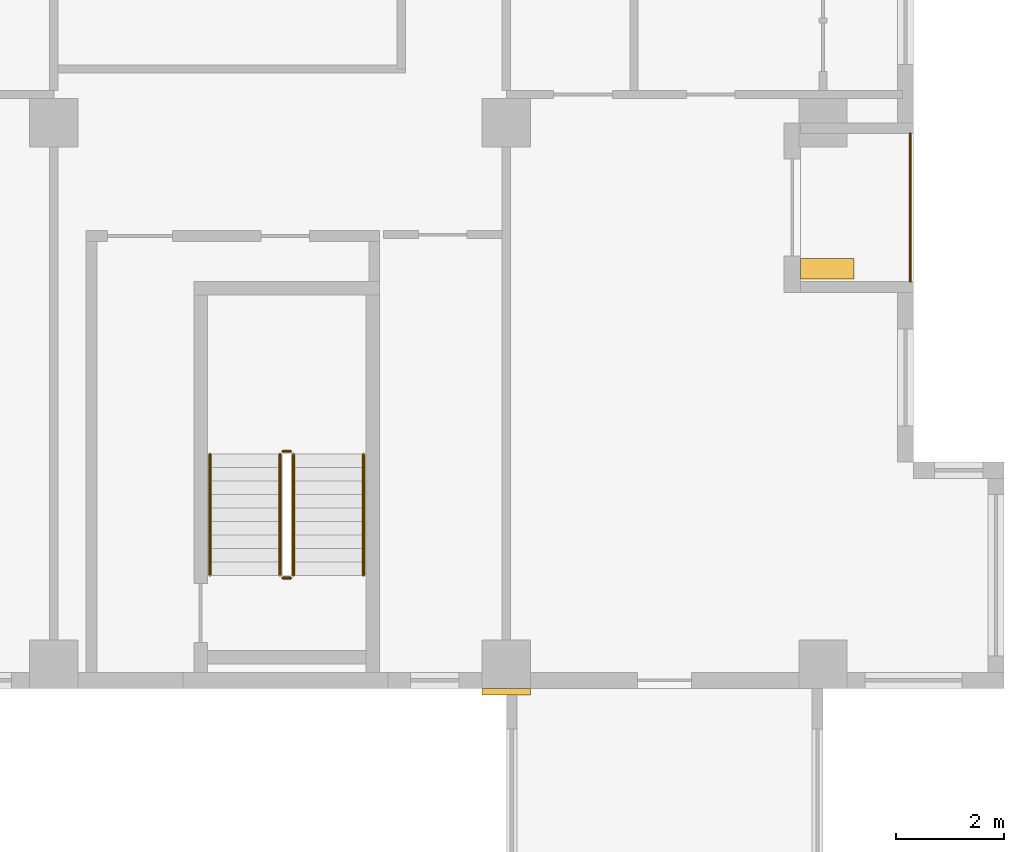
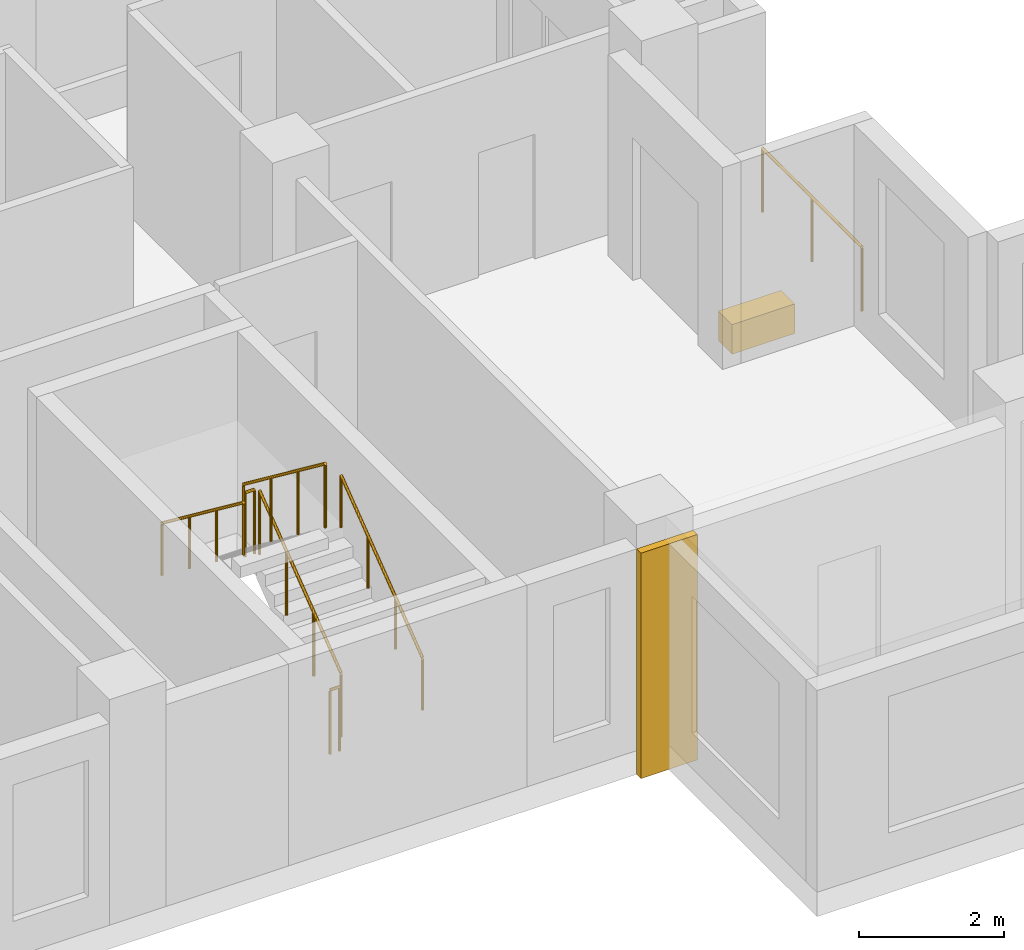
# One storey, part 11 of 12: 7 railings, 2 coverings.
"""IFC4 building model written with IfcOpenShell, lengths in metres."""

import ifcopenshell
import ifcopenshell.guid

model = None  # the IFC model being written
_history = None  # IfcOwnerHistory: only IFC2X3 demands one
_inside = {}  # id of a spatial element -> (the spatial element, [elements in it])
_under = {}  # id of a project, library or spatial element -> (it, [spatial elements below it])
_declared = {}  # id of a project -> (the project, [libraries it declares])
_typed = {}  # id of a type object -> (the type object, [elements of that type])
_made_of = {}  # id of a material, layer set ... -> (it, [elements and type objects made of it])


def new_model(schema):
    """Start an empty IFC model of exactly this schema.

    Asked for "IFC4X3", IfcOpenShell would pick the latest addendum, in which some entities
    have other attributes; the version numbers below select the first issue.
    IFC2X3 requires an IfcOwnerHistory on every rooted entity: one is made here for all.
    """
    global model, _history
    if schema == "IFC4X3":
        model = ifcopenshell.file(schema_version=(4, 3, 0, 0))
    else:
        model = ifcopenshell.file(schema=schema)
    _inside.clear()
    _under.clear()
    _declared.clear()
    _typed.clear()
    _made_of.clear()
    _history = None
    if model.schema == "IFC2X3":
        org = make("IfcOrganization", Name="unknown")
        user = make(
            "IfcPersonAndOrganization",
            ThePerson=make("IfcPerson", FamilyName="unknown"),
            TheOrganization=org,
        )
        app = make(
            "IfcApplication",
            ApplicationDeveloper=org,
            Version="unknown",
            ApplicationFullName="unknown",
            ApplicationIdentifier="unknown",
        )
        _history = make(
            "IfcOwnerHistory",
            OwningUser=user,
            OwningApplication=app,
            ChangeAction="ADDED",
            CreationDate=0,
        )
    return model


def make(cls, **values):
    """One entity of the class cls with the attributes given. An attribute that is None is left unset."""
    return model.create_entity(
        cls, **{name: value for name, value in values.items() if value is not None}
    )


def rooted(cls, **values):
    """An entity with a GlobalId (a new one), such as an element, a storey or a relation."""
    return make(cls, GlobalId=ifcopenshell.guid.new(), OwnerHistory=_history, **values)


def si_unit(unit_type, name, prefix=None):
    """IfcSIUnit, for example si_unit("LENGTHUNIT", "METRE", prefix="MILLI")."""
    return make("IfcSIUnit", UnitType=unit_type, Prefix=prefix, Name=name)


def assignment(units):
    """IfcUnitAssignment: the units of a project."""
    return None if units is None else make("IfcUnitAssignment", Units=units)


def point(xyz):
    """IfcCartesianPoint."""
    return None if xyz is None else make("IfcCartesianPoint", Coordinates=xyz)


def direction(xyz):
    """IfcDirection."""
    return None if xyz is None else make("IfcDirection", DirectionRatios=xyz)


def frame(location, z_axis=None, x_axis=None):
    """IfcAxis2Placement3D, a coordinate frame: its origin and axes. An axis left out is left unset."""
    return make(
        "IfcAxis2Placement3D",
        Location=point(location),
        Axis=direction(z_axis),
        RefDirection=direction(x_axis),
    )


def frame_2d(location, x_axis=None):
    """IfcAxis2Placement2D, a coordinate frame in the plane: its origin and x axis."""
    return make(
        "IfcAxis2Placement2D", Location=point(location), RefDirection=direction(x_axis)
    )


def origin():
    """The frame at (0, 0, 0) with its axes left unset."""
    return frame((0.0, 0.0, 0.0))


def origin_2d():
    """The frame at (0, 0) in the plane with its x axis left unset."""
    return frame_2d((0.0, 0.0))


def place(relative_to, where):
    """IfcLocalPlacement: puts the frame where relative to a parent placement (None: the world)."""
    return make(
        "IfcLocalPlacement", PlacementRelTo=relative_to, RelativePlacement=where
    )


def context(
    kind, dimensions, precision=None, world=None, true_north=None, identifier=None
):
    """IfcGeometricRepresentationContext, for example the 3D "Model" context."""
    return make(
        "IfcGeometricRepresentationContext",
        ContextIdentifier=identifier,
        ContextType=kind,
        CoordinateSpaceDimension=dimensions,
        Precision=precision,
        WorldCoordinateSystem=world,
        TrueNorth=true_north,
    )


def subcontext(parent, identifier, kind, view, scale=None):
    """IfcGeometricRepresentationSubContext, for example "Body" below "Model"."""
    return make(
        "IfcGeometricRepresentationSubContext",
        ContextIdentifier=identifier,
        ContextType=kind,
        ParentContext=parent,
        TargetScale=scale,
        TargetView=view,
    )


def project(units=None, contexts=None):
    """IfcProject with its units and contexts."""
    return rooted(
        "IfcProject",
        Name="project",
        RepresentationContexts=contexts,
        UnitsInContext=assignment(units),
    )


def spatial(cls, under=None, at=None, **own):
    """A site, building, storey or space (cls), placed at a placement, below another one or the project."""
    s = rooted(cls, ObjectPlacement=at, **own)
    if under is not None:
        _under.setdefault(under.id(), (under, []))[1].append(s)
    return s


def profile(cls, at=None, kind="AREA", **sizes):
    """A parametric profile (cls). Its sizes go by their IFC names, for example OverallWidth=200.0."""
    return make(cls, ProfileType=kind, Position=at, **sizes)


def rectangle(**sizes):
    """IfcRectangleProfileDef."""
    return profile("IfcRectangleProfileDef", **sizes)


def circle(**sizes):
    """IfcCircleProfileDef."""
    return profile("IfcCircleProfileDef", **sizes)


def extrude(swept, where, along, depth):
    """IfcExtrudedAreaSolid: the profile swept, set in the frame where, extruded along a direction by depth."""
    return make(
        "IfcExtrudedAreaSolid",
        SweptArea=swept,
        Position=where,
        ExtrudedDirection=direction(along),
        Depth=depth,
    )


def shape(context_of_items, identifier, shape_type, items):
    """IfcShapeRepresentation: the items that make up one representation, for example the "Body"."""
    return make(
        "IfcShapeRepresentation",
        ContextOfItems=context_of_items,
        RepresentationIdentifier=identifier,
        RepresentationType=shape_type,
        Items=items,
    )


def source(mapping_origin, context_of_items, identifier, shape_type, items):
    """IfcRepresentationMap: a shape defined once, which mapped items show again and again."""
    return make(
        "IfcRepresentationMap",
        MappingOrigin=mapping_origin,
        MappedRepresentation=shape(context_of_items, identifier, shape_type, items),
    )


def transform(
    local_origin,
    x_axis=None,
    y_axis=None,
    z_axis=None,
    scale=None,
    scale2=None,
    scale3=None,
    uniform=True,
):
    """IfcCartesianTransformationOperator3D, or its non-uniform kind. x_axis, y_axis, z_axis: its Axis1, 2, 3."""
    if uniform:
        return make(
            "IfcCartesianTransformationOperator3D",
            Axis1=direction(x_axis),
            Axis2=direction(y_axis),
            LocalOrigin=point(local_origin),
            Scale=scale,
            Axis3=direction(z_axis),
        )
    return make(
        "IfcCartesianTransformationOperator3DnonUniform",
        Axis1=direction(x_axis),
        Axis2=direction(y_axis),
        LocalOrigin=point(local_origin),
        Scale=scale,
        Axis3=direction(z_axis),
        Scale2=scale2,
        Scale3=scale3,
    )


def mapped(mapping_source, mapping_target):
    """IfcMappedItem: shows the shape of a source again, moved by a transform."""
    return make(
        "IfcMappedItem", MappingSource=mapping_source, MappingTarget=mapping_target
    )


def material(Name=None, Category=None):
    """IfcMaterial."""
    return make("IfcMaterial", Name=Name, Category=Category)


def made_of(thing, what):
    """Note that an element or type object is made of a material, layer set ...; save() writes the relation."""
    if what is not None:
        _made_of.setdefault(what.id(), (what, []))[1].append(thing)
    return thing


def type_object(cls, material=None, **own):
    """A type object (cls), such as IfcWallType, which elements share."""
    return made_of(rooted(cls, **own), material)


def element(
    cls,
    number,
    at=None,
    inside=None,
    cuts=None,
    type_object=None,
    material=None,
    context=None,
    identifier="Body",
    shape_type=None,
    held_by="IfcProductDefinitionShape",
    body=None,
    shapes=None,
    **own,
):
    """One element of the class cls, such as IfcWall. Its Tag is "e" and its number.

    at: its placement. inside: the storey or other place that contains it. cuts: it is an
    opening in that element (IfcRelVoidsElement). A single representation is given by context,
    identifier, shape_type and body (its items); several are given by shapes. held_by: the class
    of the entity that holds the representations. save() writes the other relations.
    """
    e = rooted(cls, Tag="e%d" % number, ObjectPlacement=at, **own)
    if body is not None:
        shapes = [shape(context, identifier, shape_type, body)]
    if shapes is not None:
        e.Representation = make(held_by, Representations=shapes)
    if inside is not None:
        _inside.setdefault(inside.id(), (inside, []))[1].append(e)
    if cuts is not None:
        rooted(
            "IfcRelVoidsElement", RelatingBuildingElement=cuts, RelatedOpeningElement=e
        )
    if type_object is not None:
        _typed.setdefault(type_object.id(), (type_object, []))[1].append(e)
    return made_of(e, material)


def aggregate(whole, parts):
    """IfcRelAggregates: a whole, such as a stair, and the parts it consists of."""
    return rooted("IfcRelAggregates", RelatingObject=whole, RelatedObjects=parts)


def save(model, path):
    """Write the relations noted so far, then the file.

    IfcRelAggregates (storeys below a building ...), IfcRelContainedInSpatialStructure (elements
    in a storey), IfcRelDefinesByType, IfcRelAssociatesMaterial and IfcRelDeclares: one each for
    every whole, place, type object, material and project.
    """
    for whole, parts in _under.values():
        aggregate(whole, parts)
    for where, things in _inside.values():
        rooted(
            "IfcRelContainedInSpatialStructure",
            RelatedElements=things,
            RelatingStructure=where,
        )
    for kind, things in _typed.values():
        rooted("IfcRelDefinesByType", RelatedObjects=things, RelatingType=kind)
    for what, things in _made_of.values():
        rooted("IfcRelAssociatesMaterial", RelatedObjects=things, RelatingMaterial=what)
    for by, libraries in _declared.values():
        rooted("IfcRelDeclares", RelatingContext=by, RelatedDefinitions=libraries)
    model.write(path)


model = new_model("IFC4")

# Units and contexts
model_context = context("Model", 3, precision=1e-05, world=origin(), true_north=direction((0.0, 1.0)))
body_context = subcontext(model_context, "Body", "Model", "MODEL_VIEW")
ifc_project = project(units=[si_unit("LENGTHUNIT", "METRE"), si_unit("AREAUNIT", "SQUARE_METRE"), si_unit("VOLUMEUNIT", "CUBIC_METRE"), si_unit("PLANEANGLEUNIT", "RADIAN"), si_unit("MASSUNIT", "GRAM", prefix="KILO")], contexts=[model_context])

# Site, building, storey
site_placement = place(None, origin())
site = spatial("IfcSite", under=ifc_project, at=site_placement, CompositionType="ELEMENT")
building_placement = place(site_placement, origin())
building = spatial("IfcBuilding", under=site, at=building_placement, Name="Aurelian Terraces", CompositionType="ELEMENT")
storey_placement = place(building_placement, frame((0.0, 0.0, 215.8)))
storey = spatial("IfcBuildingStorey", under=building, at=storey_placement, Name="L48", CompositionType="ELEMENT", Elevation=215.8)

# Railing
ifc_material_1 = material(Name="Anodised aluminium", Category="aluminium")
railing_type_1 = type_object("IfcRailingType", Name="GUARD-1100", PredefinedType="GUARDRAIL", material=ifc_material_1)
railing_1_placement = place(storey_placement, frame((53.7, 7.55, 0.05)))
element("IfcRailing", 1, at=railing_1_placement, inside=storey, type_object=railing_type_1, Name="Loggia guard L48 F04.12", PredefinedType="GUARDRAIL", context=body_context, shape_type="SweptSolid", body=[
    extrude(circle(Radius=0.024, at=origin_2d()), frame((0.0, 0.0, 1.076), z_axis=(0.0, 1.0, 0.0), x_axis=(-1.0, 0.0, 0.0)), (0.0, 0.0, 1.0), 2.75),
    extrude(circle(Radius=0.021, at=origin_2d()), origin(), (0.0, 0.0, 1.0), 1.052),
    extrude(circle(Radius=0.021, at=origin_2d()), frame((0.0, 1.375, 0.0)), (0.0, 0.0, 1.0), 1.052),
    extrude(circle(Radius=0.021, at=origin_2d()), frame((0.0, 2.75, 0.0)), (0.0, 0.0, 1.0), 1.052),
])

# Coverings
ifc_material_2 = material(Name="Terracotta planter with planting soil", Category="masonry")
covering_type_1 = type_object("IfcCoveringType", Name="PLANTER-TROUGH", PredefinedType="USERDEFINED", material=ifc_material_2)
covering_1_placement = place(storey_placement, frame((52.16, 7.79, 0.0), z_axis=(0.0, 0.0, 1.0), x_axis=(1.0, 0.0, 0.0)))
element("IfcCovering", 2, at=covering_1_placement, inside=storey, type_object=covering_type_1, Name="PLANTER L48 L48-F04-12", ObjectType="PLANTER", PredefinedType="USERDEFINED", context=body_context, shape_type="SweptSolid", body=[
    extrude(rectangle(XDim=1.0, YDim=0.38, at=origin_2d()), origin(), (0.0, 0.0, 1.0), 0.5),
])
ifc_material_3 = material(Name="Terracotta rainscreen cladding relief", Category="masonry")
covering_type_2 = type_object("IfcCoveringType", Name="BAGUETTE-TC", PredefinedType="CLADDING", material=ifc_material_3)
shared_shape_1 = source(origin(), body_context, "Body", "SweptSolid", [
    extrude(rectangle(XDim=0.9, YDim=0.12, at=origin_2d()), origin(), (0.0, 0.0, 1.0), 3.8),
])
covering_2_placement = place(storey_placement, frame((46.2, -0.06, -0.4), z_axis=(0.0, 0.0, 1.0), x_axis=(1.0, 0.0, 0.0)))
element("IfcCovering", 3, at=covering_2_placement, inside=storey, type_object=covering_type_2, Name="BAGUETTE pier L48 3", PredefinedType="CLADDING", context=body_context, shape_type="MappedRepresentation", body=[
    mapped(shared_shape_1, transform((0.0, 0.0, 0.0), scale=1.0)),
])

# Railings
ifc_material_4 = material(Name="Stainless steel", Category="steel")
railing_type_2 = type_object("IfcRailingType", Name="Stair guard 1100", PredefinedType="GUARDRAIL", material=ifc_material_4)
shared_shape_2 = source(origin(), body_context, "Body", "SweptSolid", [
    extrude(circle(Radius=0.024, at=origin_2d()), frame((0.0, 0.0, 1.076), z_axis=(-1.0, 0.0, 0.0), x_axis=(0.0, -1.0, 0.0)), (0.0, 0.0, 1.0), 0.15),
    extrude(circle(Radius=0.021, at=origin_2d()), origin(), (0.0, 0.0, 1.0), 1.052),
    extrude(circle(Radius=0.021, at=origin_2d()), frame((-0.15, 0.0, 0.0)), (0.0, 0.0, 1.0), 1.052),
])
for number, where, name in (
    (4, (42.2, 4.4, 1.9), "L48 S2 stair guard 2"),
    (5, (42.2, 2.05, 0.0), "L48 S2 stair guard 4"),
):
    element("IfcRailing", number, at=place(storey_placement, frame(where)), inside=storey, type_object=railing_type_2, Name=name, PredefinedType="GUARDRAIL", context=body_context, shape_type="MappedRepresentation", body=[
        mapped(shared_shape_2, transform((0.0, 0.0, 0.0), scale=1.0)),
    ])
shared_shape_3 = source(origin(), body_context, "Body", "SweptSolid", [
    extrude(circle(Radius=0.024, at=origin_2d()), frame((0.0, 0.0, 1.076), z_axis=(0.0, 0.796162194123, 0.605083267534), x_axis=(-1.0, 0.0, 0.0)), (0.0, 0.0, 1.0), 2.8261),
    extrude(circle(Radius=0.021, at=origin_2d()), origin(), (0.0, 0.0, 1.0), 1.052),
    extrude(circle(Radius=0.021, at=origin_2d()), frame((0.0, 0.75, 0.57)), (0.0, 0.0, 1.0), 1.052),
    extrude(circle(Radius=0.021, at=origin_2d()), frame((0.0, 1.5, 1.14)), (0.0, 0.0, 1.0), 1.052),
    extrude(circle(Radius=0.021, at=origin_2d()), frame((0.0, 2.25, 1.71)), (0.0, 0.0, 1.0), 1.052),
])
railing_2_placement = place(storey_placement, frame((42.25, 2.1, 0.19)))
element("IfcRailing", 6, at=railing_2_placement, inside=storey, type_object=railing_type_2, Name="L48 S2 stair guard 1", PredefinedType="GUARDRAIL", context=body_context, shape_type="MappedRepresentation", body=[
    mapped(shared_shape_3, transform((0.0, 0.0, 0.0), scale=1.0)),
])
shared_shape_4 = source(origin(), body_context, "Body", "SweptSolid", [
    extrude(circle(Radius=0.024, at=origin_2d()), frame((0.0, 0.0, 1.076), z_axis=(0.0, -0.796162194123, 0.605083267534), x_axis=(1.0, 0.0, 0.0)), (0.0, 0.0, 1.0), 2.8261),
    extrude(circle(Radius=0.021, at=origin_2d()), origin(), (0.0, 0.0, 1.0), 1.052),
    extrude(circle(Radius=0.021, at=origin_2d()), frame((0.0, -0.75, 0.57)), (0.0, 0.0, 1.0), 1.052),
    extrude(circle(Radius=0.021, at=origin_2d()), frame((0.0, -1.5, 1.14)), (0.0, 0.0, 1.0), 1.052),
    extrude(circle(Radius=0.021, at=origin_2d()), frame((0.0, -2.25, 1.71)), (0.0, 0.0, 1.0), 1.052),
])
railing_3_placement = place(storey_placement, frame((42.0, 4.35, 2.09)))
element("IfcRailing", 7, at=railing_3_placement, inside=storey, type_object=railing_type_2, Name="L48 S2 stair guard 3", PredefinedType="GUARDRAIL", context=body_context, shape_type="MappedRepresentation", body=[
    mapped(shared_shape_4, transform((0.0, 0.0, 0.0), scale=1.0)),
])
railing_type_3 = type_object("IfcRailingType", Name="Stair handrail", PredefinedType="HANDRAIL", material=ifc_material_4)
shared_shape_5 = source(origin(), body_context, "Body", "SweptSolid", [
    extrude(circle(Radius=0.024, at=origin_2d()), frame((0.0, 0.0, 0.876), z_axis=(0.0, 0.796162194123, 0.605083267534), x_axis=(-1.0, 0.0, 0.0)), (0.0, 0.0, 1.0), 2.8261),
    extrude(circle(Radius=0.021, at=origin_2d()), origin(), (0.0, 0.0, 1.0), 0.852),
    extrude(circle(Radius=0.021, at=origin_2d()), frame((0.0, 0.75, 0.57)), (0.0, 0.0, 1.0), 0.852),
    extrude(circle(Radius=0.021, at=origin_2d()), frame((0.0, 1.5, 1.14)), (0.0, 0.0, 1.0), 0.852),
    extrude(circle(Radius=0.021, at=origin_2d()), frame((0.0, 2.25, 1.71)), (0.0, 0.0, 1.0), 0.852),
])
railing_4_placement = place(storey_placement, frame((43.55, 2.1, 0.19)))
element("IfcRailing", 8, at=railing_4_placement, inside=storey, type_object=railing_type_3, Name="L48 S2 stair handrail 1", PredefinedType="HANDRAIL", context=body_context, shape_type="MappedRepresentation", body=[
    mapped(shared_shape_5, transform((0.0, 0.0, 0.0), scale=1.0)),
])
shared_shape_6 = source(origin(), body_context, "Body", "SweptSolid", [
    extrude(circle(Radius=0.024, at=origin_2d()), frame((0.0, 0.0, 0.876), z_axis=(0.0, -0.796162194123, 0.605083267534), x_axis=(1.0, 0.0, 0.0)), (0.0, 0.0, 1.0), 2.8261),
    extrude(circle(Radius=0.021, at=origin_2d()), origin(), (0.0, 0.0, 1.0), 0.852),
    extrude(circle(Radius=0.021, at=origin_2d()), frame((0.0, -0.75, 0.57)), (0.0, 0.0, 1.0), 0.852),
    extrude(circle(Radius=0.021, at=origin_2d()), frame((0.0, -1.5, 1.14)), (0.0, 0.0, 1.0), 0.852),
    extrude(circle(Radius=0.021, at=origin_2d()), frame((0.0, -2.25, 1.71)), (0.0, 0.0, 1.0), 0.852),
])
railing_5_placement = place(storey_placement, frame((40.7, 4.35, 2.09)))
element("IfcRailing", 9, at=railing_5_placement, inside=storey, type_object=railing_type_3, Name="L48 S2 stair handrail 2", PredefinedType="HANDRAIL", context=body_context, shape_type="MappedRepresentation", body=[
    mapped(shared_shape_6, transform((0.0, 0.0, 0.0), scale=1.0)),
])

save(model, "model.ifc")
